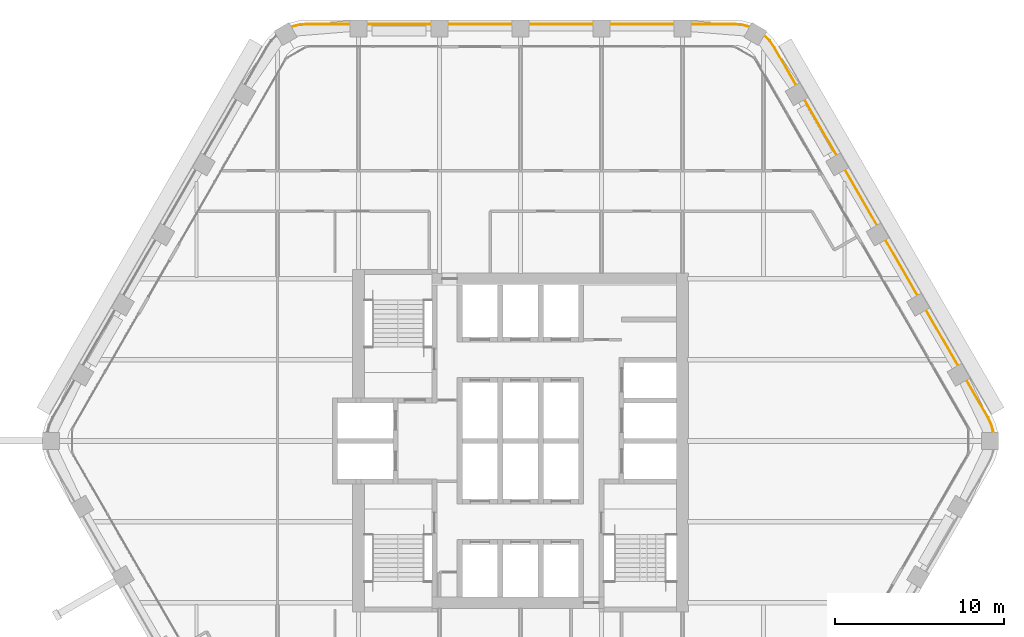
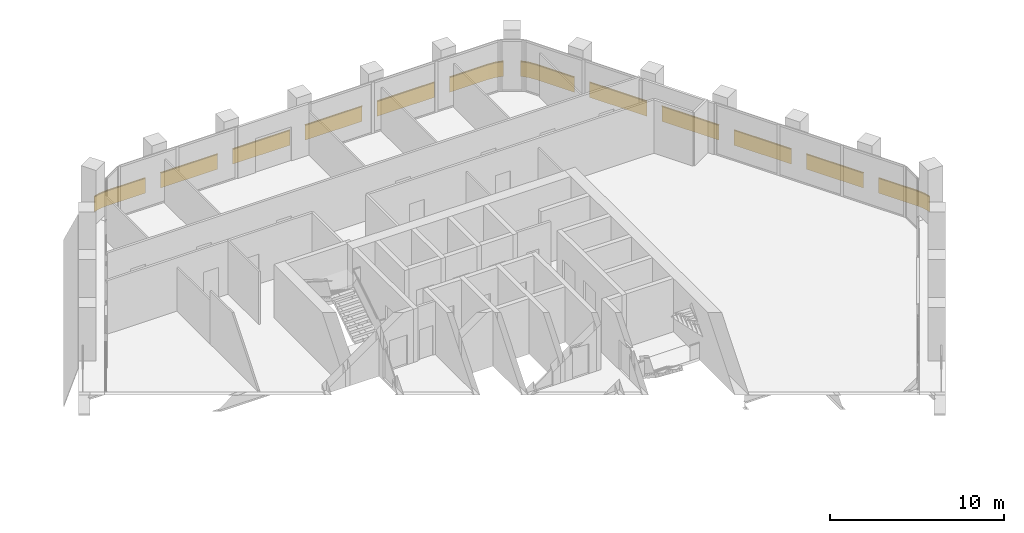
# One storey, part 16 of 16: 2 railings.
"""IFC4 building model written with IfcOpenShell, lengths in metres."""

from ifc_helpers import new_model, si_unit, direction, frame, frame_2d, origin, origin_2d, place, context, subcontext, project, spatial, rectangle, extrude, material, type_object, element, save


model = new_model("IFC4")

# Units and contexts
model_context = context("Model", 3, precision=1e-05, world=origin(), true_north=direction((0.0, 1.0)))
body_context = subcontext(model_context, "Body", "Model", "MODEL_VIEW")
ifc_project = project(units=[si_unit("LENGTHUNIT", "METRE"), si_unit("AREAUNIT", "SQUARE_METRE"), si_unit("VOLUMEUNIT", "CUBIC_METRE"), si_unit("PLANEANGLEUNIT", "RADIAN"), si_unit("MASSUNIT", "GRAM", prefix="KILO")], contexts=[model_context])

# Site, building, storey
site_placement = place(None, origin())
site = spatial("IfcSite", under=ifc_project, at=site_placement, CompositionType="ELEMENT")
building_placement = place(site_placement, origin())
building = spatial("IfcBuilding", under=site, at=building_placement, Name="Kolab Exchange Tower", CompositionType="ELEMENT")
storey_placement = place(building_placement, frame((0.0, 0.0, 209.0)))
storey = spatial("IfcBuildingStorey", under=building, at=storey_placement, Name="L45", CompositionType="ELEMENT", Elevation=209.0)

# Railings
ifc_material = material(Name="Steel S235", Category="steel")
railing_type = type_object("IfcRailingType", Name="GUARD 1100 GLASS BALUSTRADE AND STEEL TOP RAIL", PredefinedType="GUARDRAIL", material=ifc_material)
railing_1_placement = place(storey_placement, frame((13.588623046875, 24.531005859375, 0.0)))
element("IfcRailing", 1, at=railing_1_placement, inside=storey, type_object=railing_type, Name="Guard", PredefinedType="GUARDRAIL", context=body_context, shape_type="SweptSolid", body=[
    extrude(rectangle(XDim=0.05, YDim=0.05, at=origin_2d()), frame((0.0, 0.0, 1.0751953125), z_axis=(-0.965969425465, 0.25865627591, 0.0), x_axis=(-0.25865627591, -0.965969425465, 0.0)), (0.0, 0.0, 1.0), 0.458740234375),
    extrude(rectangle(XDim=0.012, YDim=1.05009765625, at=frame_2d((0.0, 0.525146484375))), frame((0.0, 0.0, 0.0), z_axis=(-0.965969425465, 0.25865627591, 0.0), x_axis=(-0.25865627591, -0.965969425465, 0.0)), (0.0, 0.0, 1.0), 0.458740234375),
    extrude(rectangle(XDim=0.05, YDim=0.05, at=origin_2d()), frame((-0.443115234375, 0.11865234375, 1.0751953125), z_axis=(-0.996156034798, 0.087596542937, 0.0), x_axis=(-0.087596542937, -0.996156034798, 0.0)), (0.0, 0.0, 1.0), 0.4794921875),
    extrude(rectangle(XDim=0.012, YDim=1.05009765625, at=frame_2d((0.0, 0.525146484375))), frame((-0.443115234375, 0.11865234375, 0.0), z_axis=(-0.996156034798, 0.087596542937, 0.0), x_axis=(-0.087596542937, -0.996156034798, 0.0)), (0.0, 0.0, 1.0), 0.4794921875),
    extrude(rectangle(XDim=0.05, YDim=0.05, at=origin_2d()), frame((-0.920654296875, 0.16064453125, 1.0751953125), z_axis=(-1.0, 0.0, 0.0), x_axis=(0.0, -1.0, 0.0)), (0.0, 0.0, 1.0), 2.56787109375),
    extrude(rectangle(XDim=0.012, YDim=1.05009765625, at=frame_2d((0.0, 0.525146484375))), frame((-0.920654296875, 0.16064453125, 0.0), z_axis=(-1.0, 0.0, 0.0), x_axis=(0.0, -1.0, 0.0)), (0.0, 0.0, 1.0), 2.56787109375),
    extrude(rectangle(XDim=0.05, YDim=0.05, at=origin_2d()), frame((-4.488525390625, 0.16064453125, 1.0751953125), z_axis=(-1.0, 0.0, 0.0), x_axis=(0.0, -1.0, 0.0)), (0.0, 0.0, 1.0), 3.800048828125),
    extrude(rectangle(XDim=0.012, YDim=1.05009765625, at=frame_2d((0.0, 0.525146484375))), frame((-4.488525390625, 0.16064453125, 0.0), z_axis=(-1.0, 0.0, 0.0), x_axis=(0.0, -1.0, 0.0)), (0.0, 0.0, 1.0), 3.800048828125),
    extrude(rectangle(XDim=0.05, YDim=0.05, at=origin_2d()), frame((-9.28857421875, 0.16064453125, 1.0751953125), z_axis=(-1.0, 0.0, 0.0), x_axis=(0.0, -1.0, 0.0)), (0.0, 0.0, 1.0), 3.800048828125),
    extrude(rectangle(XDim=0.012, YDim=1.05009765625, at=frame_2d((0.0, 0.525146484375))), frame((-9.28857421875, 0.16064453125, 0.0), z_axis=(-1.0, 0.0, 0.0), x_axis=(0.0, -1.0, 0.0)), (0.0, 0.0, 1.0), 3.800048828125),
    extrude(rectangle(XDim=0.05, YDim=0.05, at=origin_2d()), frame((-14.088623046875, 0.16064453125, 1.0751953125), z_axis=(-1.0, 0.0, 0.0), x_axis=(0.0, -1.0, 0.0)), (0.0, 0.0, 1.0), 3.800048828125),
    extrude(rectangle(XDim=0.012, YDim=1.05009765625, at=frame_2d((0.0, 0.525146484375))), frame((-14.088623046875, 0.16064453125, 0.0), z_axis=(-1.0, 0.0, 0.0), x_axis=(0.0, -1.0, 0.0)), (0.0, 0.0, 1.0), 3.800048828125),
    extrude(rectangle(XDim=0.05, YDim=0.05, at=origin_2d()), frame((-18.888671875, 0.16064453125, 1.0751953125), z_axis=(-1.0, 0.0, 0.0), x_axis=(0.0, -1.0, 0.0)), (0.0, 0.0, 1.0), 3.800048828125),
    extrude(rectangle(XDim=0.012, YDim=1.05009765625, at=frame_2d((0.0, 0.525146484375))), frame((-18.888671875, 0.16064453125, 0.0), z_axis=(-1.0, 0.0, 0.0), x_axis=(0.0, -1.0, 0.0)), (0.0, 0.0, 1.0), 3.800048828125),
    extrude(rectangle(XDim=0.05, YDim=0.05, at=origin_2d()), frame((-23.688720703125, 0.16064453125, 1.0751953125), z_axis=(-1.0, 0.0, 0.0), x_axis=(0.0, -1.0, 0.0)), (0.0, 0.0, 1.0), 2.56787109375),
    extrude(rectangle(XDim=0.012, YDim=1.05009765625, at=frame_2d((0.0, 0.525146484375))), frame((-23.688720703125, 0.16064453125, 0.0), z_axis=(-1.0, 0.0, 0.0), x_axis=(0.0, -1.0, 0.0)), (0.0, 0.0, 1.0), 2.56787109375),
    extrude(rectangle(XDim=0.05, YDim=0.05, at=origin_2d()), frame((-26.256591796875, 0.16064453125, 1.0751953125), z_axis=(-0.996156034798, -0.087596542937, 0.0), x_axis=(0.087596542937, -0.996156034798, 0.0)), (0.0, 0.0, 1.0), 0.4794921875),
    extrude(rectangle(XDim=0.012, YDim=1.05009765625, at=frame_2d((0.0, 0.525146484375))), frame((-26.256591796875, 0.16064453125, 0.0), z_axis=(-0.996156034798, -0.087596542937, 0.0), x_axis=(0.087596542937, -0.996156034798, 0.0)), (0.0, 0.0, 1.0), 0.4794921875),
    extrude(rectangle(XDim=0.05, YDim=0.05, at=origin_2d()), frame((-26.734130859375, 0.11865234375, 1.0751953125), z_axis=(-0.965969425465, -0.25865627591, 0.0), x_axis=(0.25865627591, -0.965969425465, 0.0)), (0.0, 0.0, 1.0), 0.458740234375),
    extrude(rectangle(XDim=0.012, YDim=1.05009765625, at=frame_2d((0.0, 0.525146484375))), frame((-26.734130859375, 0.11865234375, 0.0), z_axis=(-0.965969425465, -0.25865627591, 0.0), x_axis=(0.25865627591, -0.965969425465, 0.0)), (0.0, 0.0, 1.0), 0.458740234375),
])
railing_2_placement = place(storey_placement, frame((28.038818359375, 0.49755859375, 0.0)))
element("IfcRailing", 2, at=railing_2_placement, inside=storey, type_object=railing_type, Name="Guard", PredefinedType="GUARDRAIL", context=body_context, shape_type="SweptSolid", body=[
    extrude(rectangle(XDim=0.05, YDim=0.05, at=origin_2d()), frame((0.0, 0.0, 1.0751953125), z_axis=(-0.25865627591, 0.965969425465, 0.0), x_axis=(-0.965969425465, -0.25865627591, 0.0)), (0.0, 0.0, 1.0), 0.458740234375),
    extrude(rectangle(XDim=0.012, YDim=1.05009765625, at=frame_2d((0.0, 0.525146484375))), frame((0.0, 0.0, 0.0), z_axis=(-0.25865627591, 0.965969425465, 0.0), x_axis=(-0.965969425465, -0.25865627591, 0.0)), (0.0, 0.0, 1.0), 0.458740234375),
    extrude(rectangle(XDim=0.05, YDim=0.05, at=origin_2d()), frame((-0.11865234375, 0.443115234375, 1.0751953125), z_axis=(-0.422801802984, 0.906222177721, 0.0), x_axis=(-0.906222177721, -0.422801802984, 0.0)), (0.0, 0.0, 1.0), 0.479248046875),
    extrude(rectangle(XDim=0.012, YDim=1.05009765625, at=frame_2d((0.0, 0.525146484375))), frame((-0.11865234375, 0.443115234375, 0.0), z_axis=(-0.422801802984, 0.906222177721, 0.0), x_axis=(-0.906222177721, -0.422801802984, 0.0)), (0.0, 0.0, 1.0), 0.479248046875),
    extrude(rectangle(XDim=0.05, YDim=0.05, at=origin_2d()), frame((-0.3212890625, 0.87744140625, 1.0751953125), z_axis=(-0.499994038704, 0.866028845513, 0.0), x_axis=(-0.866028845513, -0.499994038704, 0.0)), (0.0, 0.0, 1.0), 2.56787109375),
    extrude(rectangle(XDim=0.012, YDim=1.05009765625, at=frame_2d((0.0, 0.525146484375))), frame((-0.3212890625, 0.87744140625, 0.0), z_axis=(-0.499994038704, 0.866028845513, 0.0), x_axis=(-0.866028845513, -0.499994038704, 0.0)), (0.0, 0.0, 1.0), 2.56787109375),
    extrude(rectangle(XDim=0.05, YDim=0.05, at=origin_2d()), frame((-2.105224609375, 3.96728515625, 1.0751953125), z_axis=(-0.500015340139, 0.86601654697, 0.0), x_axis=(-0.86601654697, -0.500015340139, 0.0)), (0.0, 0.0, 1.0), 3.80029296875),
    extrude(rectangle(XDim=0.012, YDim=1.05009765625, at=frame_2d((0.0, 0.525146484375))), frame((-2.105224609375, 3.96728515625, 0.0), z_axis=(-0.500015340139, 0.86601654697, 0.0), x_axis=(-0.86601654697, -0.500015340139, 0.0)), (0.0, 0.0, 1.0), 3.80029296875),
    extrude(rectangle(XDim=0.05, YDim=0.05, at=origin_2d()), frame((-4.50537109375, 8.124267578125, 1.0751953125), z_axis=(-0.499967155389, 0.866044365799, 0.0), x_axis=(-0.866044365799, -0.499967155389, 0.0)), (0.0, 0.0, 1.0), 3.800048828125),
    extrude(rectangle(XDim=0.012, YDim=1.05009765625, at=frame_2d((0.0, 0.525146484375))), frame((-4.50537109375, 8.124267578125, 0.0), z_axis=(-0.499967155389, 0.866044365799, 0.0), x_axis=(-0.866044365799, -0.499967155389, 0.0)), (0.0, 0.0, 1.0), 3.800048828125),
    extrude(rectangle(XDim=0.05, YDim=0.05, at=origin_2d()), frame((-6.9052734375, 12.28125, 1.0751953125), z_axis=(-0.500043160704, 0.866000483506, 0.0), x_axis=(-0.866000483506, -0.500043160704, 0.0)), (0.0, 0.0, 1.0), 3.800048828125),
    extrude(rectangle(XDim=0.012, YDim=1.05009765625, at=frame_2d((0.0, 0.525146484375))), frame((-6.9052734375, 12.28125, 0.0), z_axis=(-0.500043160704, 0.866000483506, 0.0), x_axis=(-0.866000483506, -0.500043160704, 0.0)), (0.0, 0.0, 1.0), 3.800048828125),
    extrude(rectangle(XDim=0.05, YDim=0.05, at=origin_2d()), frame((-9.305419921875, 16.438232421875, 1.0751953125), z_axis=(-0.499994975061, 0.866028304915, 0.0), x_axis=(-0.866028304915, -0.499994975061, 0.0)), (0.0, 0.0, 1.0), 3.7998046875),
    extrude(rectangle(XDim=0.012, YDim=1.05009765625, at=frame_2d((0.0, 0.525146484375))), frame((-9.305419921875, 16.438232421875, 0.0), z_axis=(-0.499994975061, 0.866028304915, 0.0), x_axis=(-0.866028304915, -0.499994975061, 0.0)), (0.0, 0.0, 1.0), 3.7998046875),
    extrude(rectangle(XDim=0.05, YDim=0.05, at=origin_2d()), frame((-11.705322265625, 20.594970703125, 1.0751953125), z_axis=(-0.499952873616, 0.866052610505, 0.0), x_axis=(-0.866052610505, -0.499952873616, 0.0)), (0.0, 0.0, 1.0), 2.568115234375),
    extrude(rectangle(XDim=0.012, YDim=1.05009765625, at=frame_2d((0.0, 0.525146484375))), frame((-11.705322265625, 20.594970703125, 0.0), z_axis=(-0.499952873616, 0.866052610505, 0.0), x_axis=(-0.866052610505, -0.499952873616, 0.0)), (0.0, 0.0, 1.0), 2.568115234375),
    extrude(rectangle(XDim=0.05, YDim=0.05, at=origin_2d()), frame((-12.9892578125, 22.819091796875, 1.0751953125), z_axis=(-0.573599091554, 0.819136180478, 0.0), x_axis=(-0.819136180478, -0.573599091554, 0.0)), (0.0, 0.0, 1.0), 0.479248046875),
    extrude(rectangle(XDim=0.012, YDim=1.05009765625, at=frame_2d((0.0, 0.525146484375))), frame((-12.9892578125, 22.819091796875, 0.0), z_axis=(-0.573599091554, 0.819136180478, 0.0), x_axis=(-0.819136180478, -0.573599091554, 0.0)), (0.0, 0.0, 1.0), 0.479248046875),
    extrude(rectangle(XDim=0.05, YDim=0.05, at=origin_2d()), frame((-13.26416015625, 23.211669921875, 1.0751953125), z_axis=(-0.70737286085, 0.706840601361, 0.0), x_axis=(-0.706840601361, -0.70737286085, 0.0)), (0.0, 0.0, 1.0), 0.458740234375),
    extrude(rectangle(XDim=0.012, YDim=1.05009765625, at=frame_2d((0.0, 0.525146484375))), frame((-13.26416015625, 23.211669921875, 0.0), z_axis=(-0.70737286085, 0.706840601361, 0.0), x_axis=(-0.706840601361, -0.70737286085, 0.0)), (0.0, 0.0, 1.0), 0.458740234375),
])

save(model, "model.ifc")
